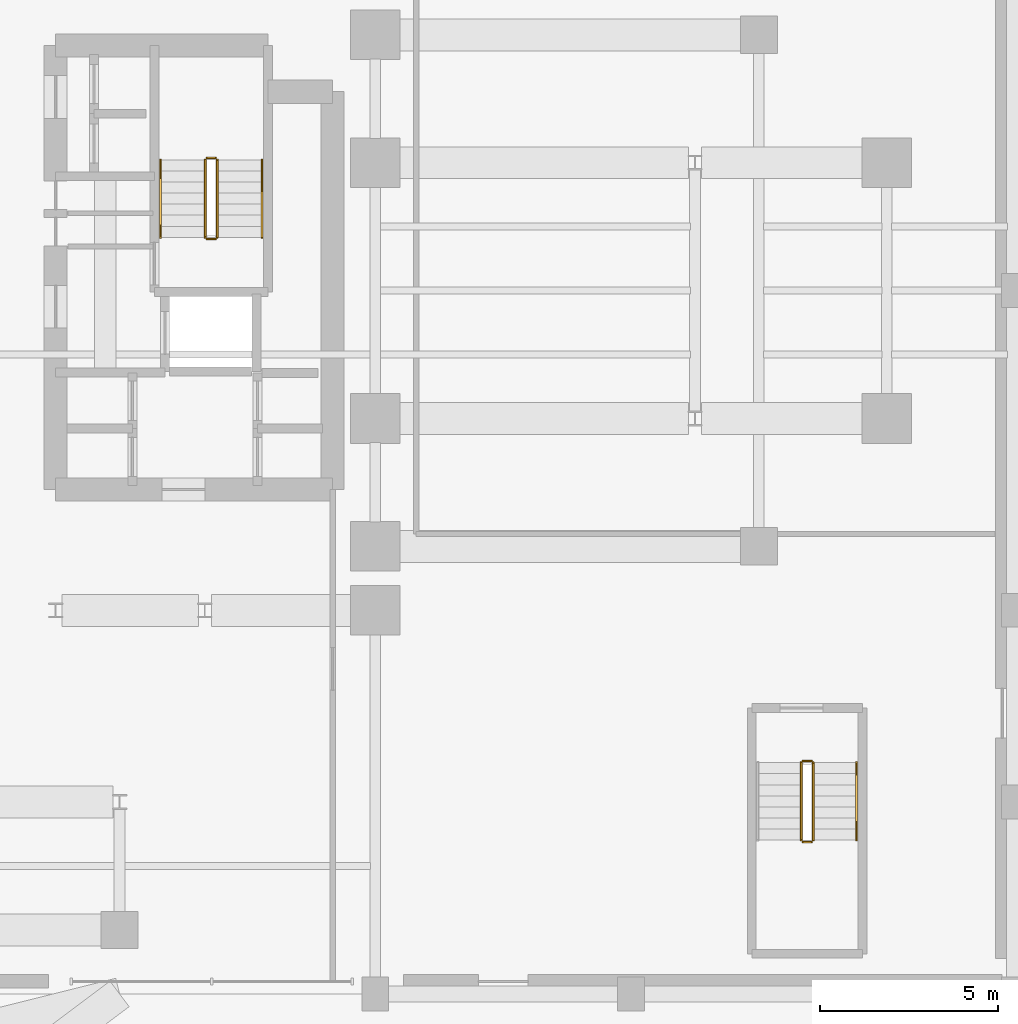
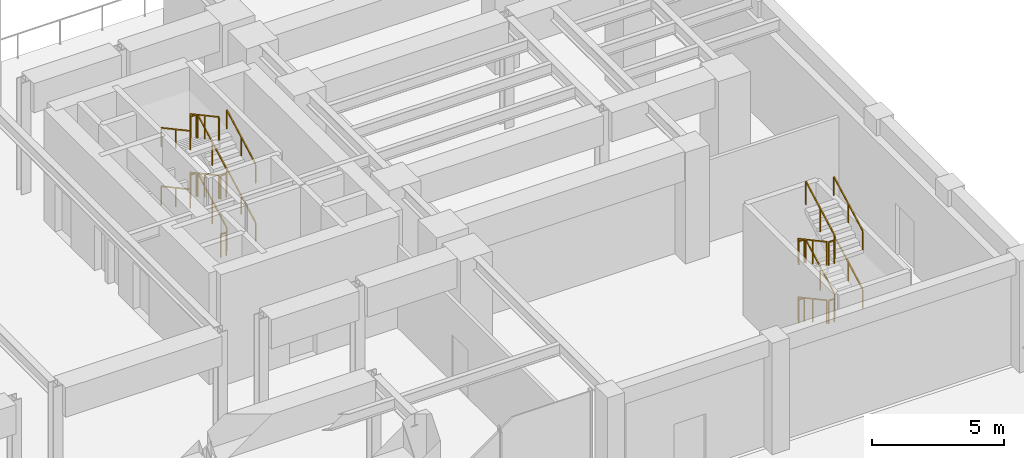
# One storey, part 16 of 17: 22 railings.
"""IFC4 building model written with IfcOpenShell, lengths in metres."""

from ifc_helpers import new_model, si_unit, direction, frame, origin, origin_2d, place, context, subcontext, project, spatial, rectangle, extrude, material, type_object, element, save


model = new_model("IFC4")

# Units and contexts
model_context = context("Model", 3, precision=1e-05, world=origin(), true_north=direction((0.0, 1.0)))
body_context = subcontext(model_context, "Body", "Model", "MODEL_VIEW")
ifc_project = project(units=[si_unit("LENGTHUNIT", "METRE"), si_unit("AREAUNIT", "SQUARE_METRE"), si_unit("VOLUMEUNIT", "CUBIC_METRE"), si_unit("PLANEANGLEUNIT", "RADIAN"), si_unit("MASSUNIT", "GRAM", prefix="KILO")], contexts=[model_context])

# Site, building, storey
site_placement = place(None, origin())
site = spatial("IfcSite", under=ifc_project, at=site_placement, CompositionType="ELEMENT")
building_placement = place(site_placement, origin())
building = spatial("IfcBuilding", under=site, at=building_placement, Name="Keilestroom Media Tower", CompositionType="ELEMENT")
storey_placement = place(building_placement, origin())
storey = spatial("IfcBuildingStorey", under=building, at=storey_placement, Name="L00", CompositionType="ELEMENT", Elevation=0.0)

# Railings
ifc_material_1 = material(Name="Brushed Stainless Steel 1.4301", Category="steel")
railing_type_1 = type_object("IfcRailingType", Name="Stair-Pitch-Handrail-920", PredefinedType="HANDRAIL", material=ifc_material_1)
railing_1_placement = place(storey_placement, frame((11.2099609375, 1.5, 0.168701171875)))
element("IfcRailing", 1, at=railing_1_placement, inside=storey, type_object=railing_type_1, Name="L00 ST-2 stair handrail 1", PredefinedType="HANDRAIL", context=body_context, shape_type="SweptSolid", body=[
    extrude(rectangle(XDim=0.048095703125, YDim=0.048095703125, at=origin_2d()), frame((0.0, 0.0, 0.8759765625), z_axis=(0.0, 0.879569751981, 0.475769956387), x_axis=(-1.0, 0.0, 0.0)), (0.0, 0.0, 1.0), 2.483154296875),
    extrude(rectangle(XDim=0.0419921875, YDim=0.0419921875, at=origin_2d()), origin(), (0.0, 0.0, 1.0), 0.84375),
    extrude(rectangle(XDim=0.0419921875, YDim=0.0419921875, at=origin_2d()), frame((0.0, 1.092041015625, 0.5908203125)), (0.0, 0.0, 1.0), 0.84375),
    extrude(rectangle(XDim=0.0419921875, YDim=0.0419921875, at=origin_2d()), frame((0.0, 2.18408203125, 1.181396484375)), (0.0, 0.0, 1.0), 0.84375),
])
railing_2_placement = place(storey_placement, frame((8.35009765625, 3.68408203125, 1.518798828125)))
element("IfcRailing", 2, at=railing_2_placement, inside=storey, type_object=railing_type_1, Name="L00 ST-2 stair handrail 2", PredefinedType="HANDRAIL", context=body_context, shape_type="SweptSolid", body=[
    extrude(rectangle(XDim=0.048095703125, YDim=0.048095703125, at=origin_2d()), frame((0.0, 0.0, 0.8759765625), z_axis=(0.0, -0.879610894823, 0.475693886559), x_axis=(1.0, 0.0, 0.0)), (0.0, 0.0, 1.0), 2.48291015625),
    extrude(rectangle(XDim=0.0419921875, YDim=0.0419921875, at=origin_2d()), origin(), (0.0, 0.0, 1.0), 0.84375),
    extrude(rectangle(XDim=0.0419921875, YDim=0.0419921875, at=origin_2d()), frame((0.0, -1.092041015625, 0.590576171875)), (0.0, 0.0, 1.0), 0.84375),
    extrude(rectangle(XDim=0.0419921875, YDim=0.0419921875, at=origin_2d()), frame((0.0, -2.18408203125, 1.18115234375)), (0.0, 0.0, 1.0), 0.84375),
])
railing_3_placement = place(storey_placement, frame((11.2099609375, 1.5, 2.86865234375)))
element("IfcRailing", 3, at=railing_3_placement, inside=storey, type_object=railing_type_1, Name="L00 ST-2 stair handrail 3", PredefinedType="HANDRAIL", context=body_context, shape_type="SweptSolid", body=[
    extrude(rectangle(XDim=0.048095703125, YDim=0.048095703125, at=origin_2d()), frame((0.0, 0.0, 0.8759765625), z_axis=(0.0, 0.879569751981, 0.475769956387), x_axis=(-1.0, 0.0, 0.0)), (0.0, 0.0, 1.0), 2.483154296875),
    extrude(rectangle(XDim=0.0419921875, YDim=0.0419921875, at=origin_2d()), origin(), (0.0, 0.0, 1.0), 0.84375),
    extrude(rectangle(XDim=0.0419921875, YDim=0.0419921875, at=origin_2d()), frame((0.0, 1.092041015625, 0.5908203125)), (0.0, 0.0, 1.0), 0.84375),
    extrude(rectangle(XDim=0.0419921875, YDim=0.0419921875, at=origin_2d()), frame((0.0, 2.18408203125, 1.181396484375)), (0.0, 0.0, 1.0), 0.84375),
])
railing_4_placement = place(storey_placement, frame((8.35009765625, 3.68408203125, 4.21875)))
element("IfcRailing", 4, at=railing_4_placement, inside=storey, type_object=railing_type_1, Name="L00 ST-2 stair handrail 4", PredefinedType="HANDRAIL", context=body_context, shape_type="SweptSolid", body=[
    extrude(rectangle(XDim=0.048095703125, YDim=0.048095703125, at=origin_2d()), frame((0.0, 0.0, 0.8759765625), z_axis=(0.0, -0.879610894823, 0.475693886559), x_axis=(1.0, 0.0, 0.0)), (0.0, 0.0, 1.0), 2.48291015625),
    extrude(rectangle(XDim=0.0419921875, YDim=0.0419921875, at=origin_2d()), origin(), (0.0, 0.0, 1.0), 0.84375),
    extrude(rectangle(XDim=0.0419921875, YDim=0.0419921875, at=origin_2d()), frame((0.0, -1.092041015625, 0.590576171875)), (0.0, 0.0, 1.0), 0.84375),
    extrude(rectangle(XDim=0.0419921875, YDim=0.0419921875, at=origin_2d()), frame((0.0, -2.18408203125, 1.18115234375)), (0.0, 0.0, 1.0), 0.84375),
])
for number, where, name in (
    (5, (27.949951171875, -15.47412109375, 1.518798828125), "L00 ST-4 stair handrail 2"),
    (6, (27.949951171875, -15.47412109375, 4.21875), "L00 ST-4 stair handrail 4"),
):
    element("IfcRailing", number, at=place(storey_placement, frame(where)), inside=storey, type_object=railing_type_1, Name=name, PredefinedType="HANDRAIL", context=body_context, shape_type="SweptSolid", body=[
        extrude(rectangle(XDim=0.048095703125, YDim=0.048095703125, at=origin_2d()), frame((0.0, 0.0, 0.8759765625), z_axis=(0.0, 0.879610894823, 0.475693886559), x_axis=(-1.0, 0.0, 0.0)), (0.0, 0.0, 1.0), 2.48291015625),
        extrude(rectangle(XDim=0.0419921875, YDim=0.0419921875, at=origin_2d()), origin(), (0.0, 0.0, 1.0), 0.84375),
        extrude(rectangle(XDim=0.0419921875, YDim=0.0419921875, at=origin_2d()), frame((0.0, 1.092041015625, 0.590576171875)), (0.0, 0.0, 1.0), 0.84375),
        extrude(rectangle(XDim=0.0419921875, YDim=0.0419921875, at=origin_2d()), frame((0.0, 2.18408203125, 1.18115234375)), (0.0, 0.0, 1.0), 0.84375),
    ])
ifc_material_2 = material(Name="Painted Steel Balustrade", Category="steel")
railing_type_2 = type_object("IfcRailingType", Name="Stair-Well-And-Landing-Guard-1100", PredefinedType="GUARDRAIL", material=ifc_material_2)
railing_5_placement = place(storey_placement, frame((9.949951171875, 1.5, 0.168701171875)))
element("IfcRailing", 7, at=railing_5_placement, inside=storey, type_object=railing_type_2, Name="L00 ST-2 stair guard 1", PredefinedType="GUARDRAIL", context=body_context, shape_type="SweptSolid", body=[
    extrude(rectangle(XDim=0.048095703125, YDim=0.048095703125, at=origin_2d()), frame((0.0, 0.0, 1.076171875), z_axis=(0.0, 0.879569751981, 0.475769956387), x_axis=(-1.0, 0.0, 0.0)), (0.0, 0.0, 1.0), 2.483154296875),
    extrude(rectangle(XDim=0.0419921875, YDim=0.0419921875, at=origin_2d()), origin(), (0.0, 0.0, 1.0), 1.0439453125),
    extrude(rectangle(XDim=0.0419921875, YDim=0.0419921875, at=origin_2d()), frame((0.0, 1.092041015625, 0.5908203125)), (0.0, 0.0, 1.0), 1.0439453125),
    extrude(rectangle(XDim=0.0419921875, YDim=0.0419921875, at=origin_2d()), frame((0.0, 2.18408203125, 1.181396484375)), (0.0, 0.0, 1.0), 1.0439453125),
])
railing_6_placement = place(storey_placement, frame((9.89990234375, 3.73388671875, 1.35009765625)))
element("IfcRailing", 8, at=railing_6_placement, inside=storey, type_object=railing_type_2, Name="L00 ST-2 stair guard 2", PredefinedType="GUARDRAIL", context=body_context, shape_type="SweptSolid", body=[
    extrude(rectangle(XDim=0.048095703125, YDim=0.048095703125, at=origin_2d()), frame((0.0, 0.0, 1.076171875), z_axis=(-1.0, 0.0, 0.0), x_axis=(0.0, -1.0, 0.0)), (0.0, 0.0, 1.0), 0.239990234375),
    extrude(rectangle(XDim=0.0419921875, YDim=0.0419921875, at=origin_2d()), origin(), (0.0, 0.0, 1.0), 1.0439453125),
    extrude(rectangle(XDim=0.0419921875, YDim=0.0419921875, at=origin_2d()), frame((-0.239990234375, 0.0, 0.0)), (0.0, 0.0, 1.0), 1.0439453125),
])
railing_7_placement = place(storey_placement, frame((9.610107421875, 3.68408203125, 1.518798828125)))
element("IfcRailing", 9, at=railing_7_placement, inside=storey, type_object=railing_type_2, Name="L00 ST-2 stair guard 3", PredefinedType="GUARDRAIL", context=body_context, shape_type="SweptSolid", body=[
    extrude(rectangle(XDim=0.048095703125, YDim=0.048095703125, at=origin_2d()), frame((0.0, 0.0, 1.076171875), z_axis=(0.0, -0.879610894823, 0.475693886559), x_axis=(1.0, 0.0, 0.0)), (0.0, 0.0, 1.0), 2.48291015625),
    extrude(rectangle(XDim=0.0419921875, YDim=0.0419921875, at=origin_2d()), origin(), (0.0, 0.0, 1.0), 1.0439453125),
    extrude(rectangle(XDim=0.0419921875, YDim=0.0419921875, at=origin_2d()), frame((0.0, -1.092041015625, 0.590576171875)), (0.0, 0.0, 1.0), 1.0439453125),
    extrude(rectangle(XDim=0.0419921875, YDim=0.0419921875, at=origin_2d()), frame((0.0, -2.18408203125, 1.18115234375)), (0.0, 0.0, 1.0), 1.0439453125),
])
railing_8_placement = place(storey_placement, frame((9.89990234375, 1.449951171875, 2.699951171875)))
element("IfcRailing", 10, at=railing_8_placement, inside=storey, type_object=railing_type_2, Name="L00 ST-2 stair guard 4", PredefinedType="GUARDRAIL", context=body_context, shape_type="SweptSolid", body=[
    extrude(rectangle(XDim=0.048095703125, YDim=0.048095703125, at=origin_2d()), frame((0.0, 0.0, 1.076171875), z_axis=(-1.0, 0.0, 0.0), x_axis=(0.0, -1.0, 0.0)), (0.0, 0.0, 1.0), 0.239990234375),
    extrude(rectangle(XDim=0.0419921875, YDim=0.0419921875, at=origin_2d()), origin(), (0.0, 0.0, 1.0), 1.0439453125),
    extrude(rectangle(XDim=0.0419921875, YDim=0.0419921875, at=origin_2d()), frame((-0.239990234375, 0.0, 0.0)), (0.0, 0.0, 1.0), 1.0439453125),
])
railing_9_placement = place(storey_placement, frame((9.949951171875, 1.5, 2.86865234375)))
element("IfcRailing", 11, at=railing_9_placement, inside=storey, type_object=railing_type_2, Name="L00 ST-2 stair guard 5", PredefinedType="GUARDRAIL", context=body_context, shape_type="SweptSolid", body=[
    extrude(rectangle(XDim=0.048095703125, YDim=0.048095703125, at=origin_2d()), frame((0.0, 0.0, 1.076171875), z_axis=(0.0, 0.879569751981, 0.475769956387), x_axis=(-1.0, 0.0, 0.0)), (0.0, 0.0, 1.0), 2.483154296875),
    extrude(rectangle(XDim=0.0419921875, YDim=0.0419921875, at=origin_2d()), origin(), (0.0, 0.0, 1.0), 1.0439453125),
    extrude(rectangle(XDim=0.0419921875, YDim=0.0419921875, at=origin_2d()), frame((0.0, 1.092041015625, 0.5908203125)), (0.0, 0.0, 1.0), 1.0439453125),
    extrude(rectangle(XDim=0.0419921875, YDim=0.0419921875, at=origin_2d()), frame((0.0, 2.18408203125, 1.181396484375)), (0.0, 0.0, 1.0), 1.0439453125),
])
railing_10_placement = place(storey_placement, frame((9.89990234375, 3.73388671875, 4.050048828125)))
element("IfcRailing", 12, at=railing_10_placement, inside=storey, type_object=railing_type_2, Name="L00 ST-2 stair guard 6", PredefinedType="GUARDRAIL", context=body_context, shape_type="SweptSolid", body=[
    extrude(rectangle(XDim=0.048095703125, YDim=0.048095703125, at=origin_2d()), frame((0.0, 0.0, 1.076171875), z_axis=(-1.0, 0.0, 0.0), x_axis=(0.0, -1.0, 0.0)), (0.0, 0.0, 1.0), 0.239990234375),
    extrude(rectangle(XDim=0.0419921875, YDim=0.0419921875, at=origin_2d()), origin(), (0.0, 0.0, 1.0), 1.0439453125),
    extrude(rectangle(XDim=0.0419921875, YDim=0.0419921875, at=origin_2d()), frame((-0.239990234375, 0.0, 0.0)), (0.0, 0.0, 1.0), 1.0439453125),
])
railing_11_placement = place(storey_placement, frame((9.610107421875, 3.68408203125, 4.21875)))
element("IfcRailing", 13, at=railing_11_placement, inside=storey, type_object=railing_type_2, Name="L00 ST-2 stair guard 7", PredefinedType="GUARDRAIL", context=body_context, shape_type="SweptSolid", body=[
    extrude(rectangle(XDim=0.048095703125, YDim=0.048095703125, at=origin_2d()), frame((0.0, 0.0, 1.076171875), z_axis=(0.0, -0.879610894823, 0.475693886559), x_axis=(1.0, 0.0, 0.0)), (0.0, 0.0, 1.0), 2.48291015625),
    extrude(rectangle(XDim=0.0419921875, YDim=0.0419921875, at=origin_2d()), origin(), (0.0, 0.0, 1.0), 1.0439453125),
    extrude(rectangle(XDim=0.0419921875, YDim=0.0419921875, at=origin_2d()), frame((0.0, -1.092041015625, 0.590576171875)), (0.0, 0.0, 1.0), 1.0439453125),
    extrude(rectangle(XDim=0.0419921875, YDim=0.0419921875, at=origin_2d()), frame((0.0, -2.18408203125, 1.18115234375)), (0.0, 0.0, 1.0), 1.0439453125),
])
railing_12_placement = place(storey_placement, frame((9.89990234375, 1.449951171875, 0.0)))
element("IfcRailing", 14, at=railing_12_placement, inside=storey, type_object=railing_type_2, Name="L00 ST-2 stair guard 8", PredefinedType="GUARDRAIL", context=body_context, shape_type="SweptSolid", body=[
    extrude(rectangle(XDim=0.048095703125, YDim=0.048095703125, at=origin_2d()), frame((0.0, 0.0, 1.076171875), z_axis=(-1.0, 0.0, 0.0), x_axis=(0.0, -1.0, 0.0)), (0.0, 0.0, 1.0), 0.239990234375),
    extrude(rectangle(XDim=0.0419921875, YDim=0.0419921875, at=origin_2d()), origin(), (0.0, 0.0, 1.0), 1.0439453125),
    extrude(rectangle(XDim=0.0419921875, YDim=0.0419921875, at=origin_2d()), frame((-0.239990234375, 0.0, 0.0)), (0.0, 0.0, 1.0), 1.0439453125),
])
railing_13_placement = place(storey_placement, frame((26.389892578125, -13.2900390625, 0.168701171875)))
element("IfcRailing", 15, at=railing_13_placement, inside=storey, type_object=railing_type_2, Name="L00 ST-4 stair guard 1", PredefinedType="GUARDRAIL", context=body_context, shape_type="SweptSolid", body=[
    extrude(rectangle(XDim=0.048095703125, YDim=0.048095703125, at=origin_2d()), frame((0.0, 0.0, 1.076171875), z_axis=(0.0, -0.879569751981, 0.475769956387), x_axis=(1.0, 0.0, 0.0)), (0.0, 0.0, 1.0), 2.483154296875),
    extrude(rectangle(XDim=0.0419921875, YDim=0.0419921875, at=origin_2d()), origin(), (0.0, 0.0, 1.0), 1.0439453125),
    extrude(rectangle(XDim=0.0419921875, YDim=0.0419921875, at=origin_2d()), frame((0.0, -1.092041015625, 0.5908203125)), (0.0, 0.0, 1.0), 1.0439453125),
    extrude(rectangle(XDim=0.0419921875, YDim=0.0419921875, at=origin_2d()), frame((0.0, -2.18408203125, 1.181396484375)), (0.0, 0.0, 1.0), 1.0439453125),
])
railing_14_placement = place(storey_placement, frame((26.43994140625, -15.52392578125, 1.35009765625)))
element("IfcRailing", 16, at=railing_14_placement, inside=storey, type_object=railing_type_2, Name="L00 ST-4 stair guard 2", PredefinedType="GUARDRAIL", context=body_context, shape_type="SweptSolid", body=[
    extrude(rectangle(XDim=0.048095703125, YDim=0.048095703125, at=origin_2d()), frame((0.0, 0.0, 1.076171875), z_axis=(1.0, 0.0, 0.0), x_axis=(0.0, 1.0, 0.0)), (0.0, 0.0, 1.0), 0.239990234375),
    extrude(rectangle(XDim=0.0419921875, YDim=0.0419921875, at=origin_2d()), origin(), (0.0, 0.0, 1.0), 1.0439453125),
    extrude(rectangle(XDim=0.0419921875, YDim=0.0419921875, at=origin_2d()), frame((0.239990234375, 0.0, 0.0)), (0.0, 0.0, 1.0), 1.0439453125),
])
railing_15_placement = place(storey_placement, frame((26.72998046875, -15.47412109375, 1.518798828125)))
element("IfcRailing", 17, at=railing_15_placement, inside=storey, type_object=railing_type_2, Name="L00 ST-4 stair guard 3", PredefinedType="GUARDRAIL", context=body_context, shape_type="SweptSolid", body=[
    extrude(rectangle(XDim=0.048095703125, YDim=0.048095703125, at=origin_2d()), frame((0.0, 0.0, 1.076171875), z_axis=(0.0, 0.879610894823, 0.475693886559), x_axis=(-1.0, 0.0, 0.0)), (0.0, 0.0, 1.0), 2.48291015625),
    extrude(rectangle(XDim=0.0419921875, YDim=0.0419921875, at=origin_2d()), origin(), (0.0, 0.0, 1.0), 1.0439453125),
    extrude(rectangle(XDim=0.0419921875, YDim=0.0419921875, at=origin_2d()), frame((0.0, 1.092041015625, 0.590576171875)), (0.0, 0.0, 1.0), 1.0439453125),
    extrude(rectangle(XDim=0.0419921875, YDim=0.0419921875, at=origin_2d()), frame((0.0, 2.18408203125, 1.18115234375)), (0.0, 0.0, 1.0), 1.0439453125),
])
railing_16_placement = place(storey_placement, frame((26.43994140625, -13.239990234375, 2.699951171875)))
element("IfcRailing", 18, at=railing_16_placement, inside=storey, type_object=railing_type_2, Name="L00 ST-4 stair guard 4", PredefinedType="GUARDRAIL", context=body_context, shape_type="SweptSolid", body=[
    extrude(rectangle(XDim=0.048095703125, YDim=0.048095703125, at=origin_2d()), frame((0.0, 0.0, 1.076171875), z_axis=(1.0, 0.0, 0.0), x_axis=(0.0, 1.0, 0.0)), (0.0, 0.0, 1.0), 0.239990234375),
    extrude(rectangle(XDim=0.0419921875, YDim=0.0419921875, at=origin_2d()), origin(), (0.0, 0.0, 1.0), 1.0439453125),
    extrude(rectangle(XDim=0.0419921875, YDim=0.0419921875, at=origin_2d()), frame((0.239990234375, 0.0, 0.0)), (0.0, 0.0, 1.0), 1.0439453125),
])
railing_17_placement = place(storey_placement, frame((26.389892578125, -13.2900390625, 2.86865234375)))
element("IfcRailing", 19, at=railing_17_placement, inside=storey, type_object=railing_type_2, Name="L00 ST-4 stair guard 5", PredefinedType="GUARDRAIL", context=body_context, shape_type="SweptSolid", body=[
    extrude(rectangle(XDim=0.048095703125, YDim=0.048095703125, at=origin_2d()), frame((0.0, 0.0, 1.076171875), z_axis=(0.0, -0.879569751981, 0.475769956387), x_axis=(1.0, 0.0, 0.0)), (0.0, 0.0, 1.0), 2.483154296875),
    extrude(rectangle(XDim=0.0419921875, YDim=0.0419921875, at=origin_2d()), origin(), (0.0, 0.0, 1.0), 1.0439453125),
    extrude(rectangle(XDim=0.0419921875, YDim=0.0419921875, at=origin_2d()), frame((0.0, -1.092041015625, 0.5908203125)), (0.0, 0.0, 1.0), 1.0439453125),
    extrude(rectangle(XDim=0.0419921875, YDim=0.0419921875, at=origin_2d()), frame((0.0, -2.18408203125, 1.181396484375)), (0.0, 0.0, 1.0), 1.0439453125),
])
railing_18_placement = place(storey_placement, frame((26.43994140625, -15.52392578125, 4.050048828125)))
element("IfcRailing", 20, at=railing_18_placement, inside=storey, type_object=railing_type_2, Name="L00 ST-4 stair guard 6", PredefinedType="GUARDRAIL", context=body_context, shape_type="SweptSolid", body=[
    extrude(rectangle(XDim=0.048095703125, YDim=0.048095703125, at=origin_2d()), frame((0.0, 0.0, 1.076171875), z_axis=(1.0, 0.0, 0.0), x_axis=(0.0, 1.0, 0.0)), (0.0, 0.0, 1.0), 0.239990234375),
    extrude(rectangle(XDim=0.0419921875, YDim=0.0419921875, at=origin_2d()), origin(), (0.0, 0.0, 1.0), 1.0439453125),
    extrude(rectangle(XDim=0.0419921875, YDim=0.0419921875, at=origin_2d()), frame((0.239990234375, 0.0, 0.0)), (0.0, 0.0, 1.0), 1.0439453125),
])
railing_19_placement = place(storey_placement, frame((26.72998046875, -15.47412109375, 4.21875)))
element("IfcRailing", 21, at=railing_19_placement, inside=storey, type_object=railing_type_2, Name="L00 ST-4 stair guard 7", PredefinedType="GUARDRAIL", context=body_context, shape_type="SweptSolid", body=[
    extrude(rectangle(XDim=0.048095703125, YDim=0.048095703125, at=origin_2d()), frame((0.0, 0.0, 1.076171875), z_axis=(0.0, 0.879610894823, 0.475693886559), x_axis=(-1.0, 0.0, 0.0)), (0.0, 0.0, 1.0), 2.48291015625),
    extrude(rectangle(XDim=0.0419921875, YDim=0.0419921875, at=origin_2d()), origin(), (0.0, 0.0, 1.0), 1.0439453125),
    extrude(rectangle(XDim=0.0419921875, YDim=0.0419921875, at=origin_2d()), frame((0.0, 1.092041015625, 0.590576171875)), (0.0, 0.0, 1.0), 1.0439453125),
    extrude(rectangle(XDim=0.0419921875, YDim=0.0419921875, at=origin_2d()), frame((0.0, 2.18408203125, 1.18115234375)), (0.0, 0.0, 1.0), 1.0439453125),
])
railing_20_placement = place(storey_placement, frame((26.43994140625, -13.239990234375, 0.0)))
element("IfcRailing", 22, at=railing_20_placement, inside=storey, type_object=railing_type_2, Name="L00 ST-4 stair guard 8", PredefinedType="GUARDRAIL", context=body_context, shape_type="SweptSolid", body=[
    extrude(rectangle(XDim=0.048095703125, YDim=0.048095703125, at=origin_2d()), frame((0.0, 0.0, 1.076171875), z_axis=(1.0, 0.0, 0.0), x_axis=(0.0, 1.0, 0.0)), (0.0, 0.0, 1.0), 0.239990234375),
    extrude(rectangle(XDim=0.0419921875, YDim=0.0419921875, at=origin_2d()), origin(), (0.0, 0.0, 1.0), 1.0439453125),
    extrude(rectangle(XDim=0.0419921875, YDim=0.0419921875, at=origin_2d()), frame((0.239990234375, 0.0, 0.0)), (0.0, 0.0, 1.0), 1.0439453125),
])

save(model, "model.ifc")
